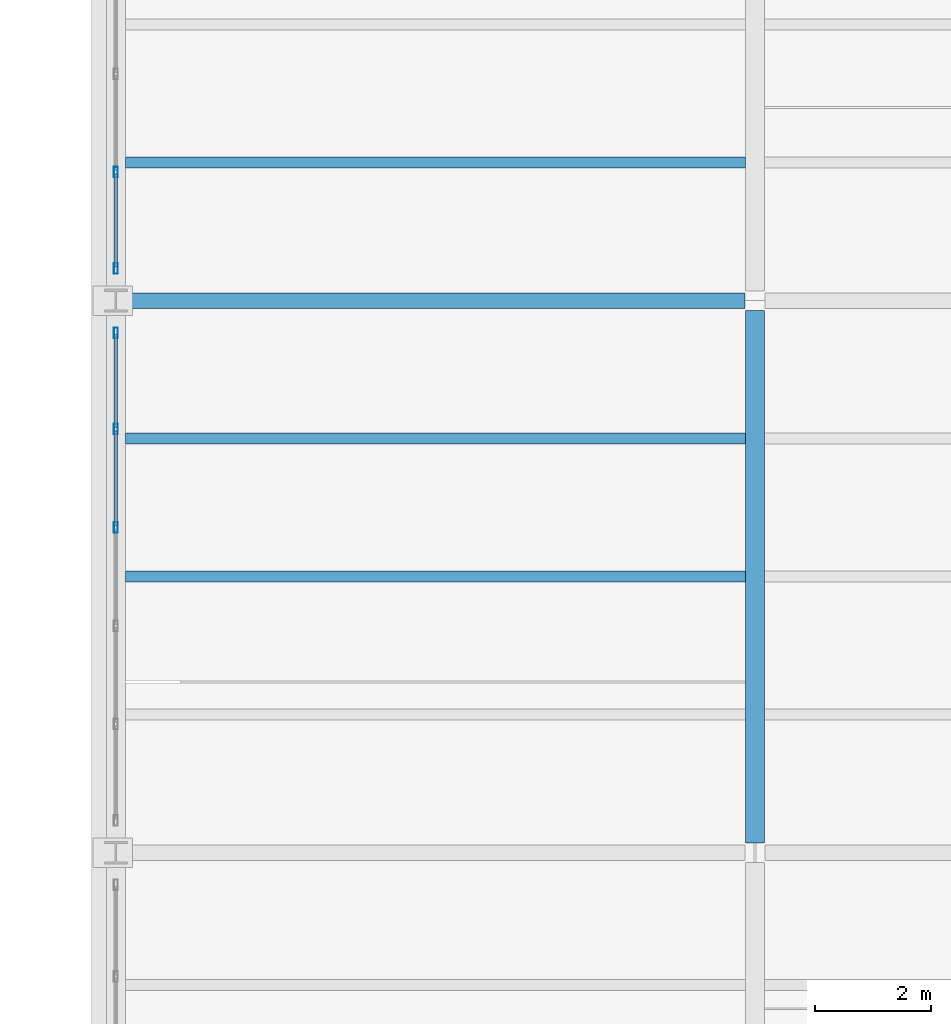
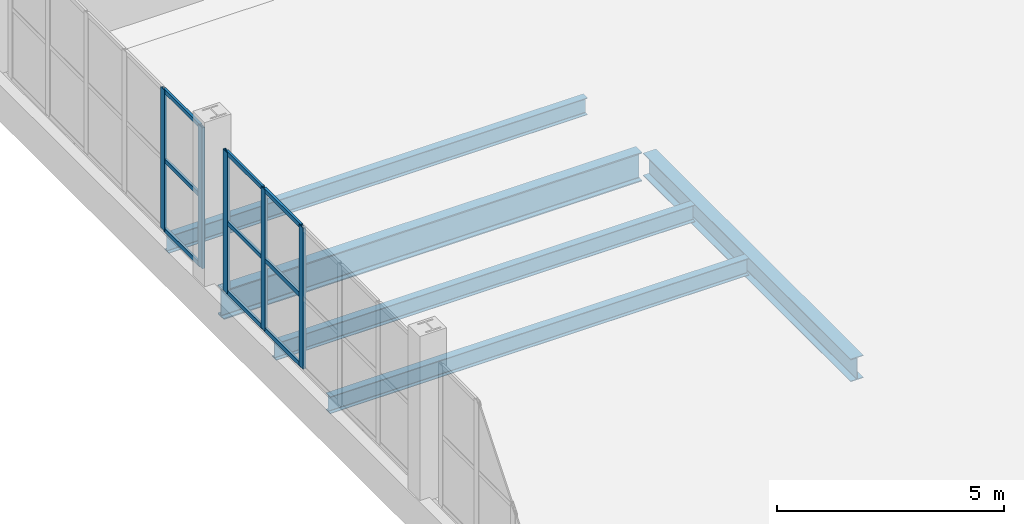
# One storey, part 23 of 156: 14 members, 5 beams, 2 elements without a shape of their own.
"""IFC4 building model written with IfcOpenShell, lengths in metres."""

from ifc_helpers import new_model, si_unit, direction, frame, origin, origin_2d, place, context, subcontext, project, spatial, hollow_rectangle, i_section, extrude, material, material_profile, profile_set, type_object, element, aggregate, save


model = new_model("IFC4")

# Units and contexts
model_context = context("Model", 3, precision=1e-05, world=origin(), true_north=direction((0.0, 1.0)))
body_context = subcontext(model_context, "Body", "Model", "MODEL_VIEW")
ifc_project = project(units=[si_unit("LENGTHUNIT", "METRE"), si_unit("AREAUNIT", "SQUARE_METRE"), si_unit("VOLUMEUNIT", "CUBIC_METRE"), si_unit("PLANEANGLEUNIT", "RADIAN"), si_unit("MASSUNIT", "GRAM", prefix="KILO")], contexts=[model_context])

# Site, building, storey
site_placement = place(None, origin())
site = spatial("IfcSite", under=ifc_project, at=site_placement, CompositionType="ELEMENT")
building_placement = place(site_placement, origin())
building = spatial("IfcBuilding", under=site, at=building_placement, Name="Caurita Quay Ferry Terminal", CompositionType="ELEMENT")
storey_placement = place(building_placement, frame((0.0, 0.0, 5.39990234375)))
storey = spatial("IfcBuildingStorey", under=building, at=storey_placement, Name="L01", CompositionType="ELEMENT", Elevation=5.39990234375)

# Beams
ifc_material_1 = material(Name="Structural steel ASTM A992 Gr. 50", Category="steel")
ifc_material_profile_1 = material_profile(ifc_material_1, i_section(OverallWidth=0.3251953125, OverallDepth=0.612060546875, WebThickness=0.0126953125, FlangeThickness=0.01904296875, FilletRadius=0.01513671875, at=origin_2d()), Name="W24X104")
ifc_profile_set_1 = profile_set([ifc_material_profile_1], Name="Structural steel ASTM A992 Gr. 50")
beam_type_1 = type_object("IfcBeamType", Name="BM-GR-W24A", PredefinedType="BEAM", material=ifc_profile_set_1)
beam_1_placement = place(storey_placement, frame((11.0, 43.86962890625, -0.60595703125), z_axis=(0.0, 1.0, 0.0), x_axis=(-1.0, 0.0, 0.0)))
element("IfcBeam", 1, at=beam_1_placement, inside=storey, type_object=beam_type_1, Name="L01 Beam BM-V1-L01-Y-110-439", PredefinedType="BEAM", context=body_context, shape_type="SweptSolid", body=[
    extrude(i_section(OverallWidth=0.3251953125, OverallDepth=0.612060546875, WebThickness=0.0126953125, FlangeThickness=0.01904296875, FilletRadius=0.01513671875, at=origin_2d()), origin(), (0.0, 0.0, 1.0), 9.160888671875),
])
ifc_material_profile_2 = material_profile(ifc_material_1, i_section(OverallWidth=0.2666015625, OverallDepth=0.77978515625, WebThickness=0.0166015625, FlangeThickness=0.030029296875, FilletRadius=0.01904296875, at=origin_2d()), Name="W30X148")
ifc_profile_set_2 = profile_set([ifc_material_profile_2], Name="Structural steel ASTM A992 Gr. 50")
beam_type_2 = type_object("IfcBeamType", Name="BM-GR-W30A", PredefinedType="BEAM", material=ifc_profile_set_2)
beam_2_placement = place(storey_placement, frame((0.172607421875, 53.199951171875, -0.689697265625), z_axis=(1.0, 0.0, 0.0), x_axis=(0.0, 1.0, 0.0)))
element("IfcBeam", 2, at=beam_2_placement, inside=storey, type_object=beam_type_2, Name="L01 Beam BM-V1-L01-X-2-532", PredefinedType="BEAM", context=body_context, shape_type="SweptSolid", body=[
    extrude(i_section(OverallWidth=0.2666015625, OverallDepth=0.77978515625, WebThickness=0.0166015625, FlangeThickness=0.030029296875, FilletRadius=0.01904296875, at=origin_2d()), origin(), (0.0, 0.0, 1.0), 10.656982421875),
])
ifc_material_profile_3 = material_profile(ifc_material_1, i_section(OverallWidth=0.1904296875, OverallDepth=0.457275390625, WebThickness=0.009033203125, FlangeThickness=0.014404296875, FilletRadius=0.0126953125, at=origin_2d()), Name="W18X50")
ifc_profile_set_3 = profile_set([ifc_material_profile_3], Name="Structural steel ASTM A992 Gr. 50")
beam_type_3 = type_object("IfcBeamType", Name="BM-JS-W18B", PredefinedType="JOIST", material=ifc_profile_set_3)
for number, where, z_axis, x_axis, name in (
    (3, (0.16259765625, 48.449951171875, -0.528564453125), (1.0, 0.0, 0.0), (0.0, 1.0, 0.0), "L01 Beam JS-V1-L01-005"),
    (4, (0.16259765625, 50.824951171875, -0.528564453125), (1.0, 0.0, 0.0), (0.0, 1.0, 0.0), "L01 Beam JS-V1-L01-006"),
    (5, (0.16259765625, 55.574951171875, -0.528564453125), (1.0, 0.0, 0.0), (0.0, 1.0, 0.0), "L01 Beam JS-V1-L01-007"),
):
    element("IfcBeam", number, at=place(storey_placement, frame(where, z_axis=z_axis, x_axis=x_axis)), inside=storey, type_object=beam_type_3, Name=name, PredefinedType="JOIST", context=body_context, shape_type="SweptSolid", body=[
        extrude(i_section(OverallWidth=0.1904296875, OverallDepth=0.457275390625, WebThickness=0.009033203125, FlangeThickness=0.014404296875, FilletRadius=0.0126953125, at=origin_2d()), origin(), (0.0, 0.0, 1.0), 10.6748046875),
    ])

# Curtain wall, members
ifc_material_2 = material(Name="Laminated solar-control insulated glass", Category="glass")
curtain_wall_type = type_object("IfcCurtainWallType", Name="CW-SYS-12", PredefinedType="NOTDEFINED", material=ifc_material_2)
curtain_wall_1_placement = place(storey_placement, origin())
curtain_wall_1 = element("IfcCurtainWall", 6, at=curtain_wall_1_placement, inside=storey, type_object=curtain_wall_type, Name="Concourse Gable Curtain Wall 078", PredefinedType="NOTDEFINED")
ifc_material_3 = material(Name="Anodized aluminium 6063-T6", Category="aluminium")
ifc_material_profile_4 = material_profile(ifc_material_3, hollow_rectangle(XDim=0.06494140625, YDim=0.179931640625, WallThickness=0.00390625, at=origin_2d()), Name="ALU-MUL-65X180")
ifc_profile_set_4 = profile_set([ifc_material_profile_4], Name="Anodized aluminium 6063-T6")
member_type_1 = type_object("IfcMemberType", Name="CW-MUL-180", PredefinedType="MULLION", material=ifc_profile_set_4)
member_1_placement = place(storey_placement, frame((0.0, 49.2958984375, 0.0), z_axis=(0.0, 0.0, 1.0), x_axis=(-1.0, 0.0, 0.0)))
member_1 = element("IfcMember", 7, at=member_1_placement, type_object=member_type_1, Name="CW-GBL-078 Mullion 4", PredefinedType="MULLION", context=body_context, shape_type="SweptSolid", body=[
    extrude(hollow_rectangle(XDim=0.06494140625, YDim=0.179931640625, WallThickness=0.00390625, at=origin_2d()), origin(), (0.0, 0.0, 1.0), 3.800048828125),
])
member_2_placement = place(storey_placement, frame((0.0, 50.988037109375, 0.0), z_axis=(0.0, 0.0, 1.0), x_axis=(-1.0, 0.0, 0.0)))
member_2 = element("IfcMember", 8, at=member_2_placement, type_object=member_type_1, Name="CW-GBL-078 Mullion 5", PredefinedType="MULLION", context=body_context, shape_type="SweptSolid", body=[
    extrude(hollow_rectangle(XDim=0.06494140625, YDim=0.179931640625, WallThickness=0.00390625, at=origin_2d()), origin(), (0.0, 0.0, 1.0), 3.800048828125),
])
member_3_placement = place(storey_placement, frame((0.0, 52.6474609375, 0.0), z_axis=(0.0, 0.0, 1.0), x_axis=(-1.0, 0.0, 0.0)))
member_3 = element("IfcMember", 9, at=member_3_placement, type_object=member_type_1, Name="CW-GBL-078 Mullion 6", PredefinedType="MULLION", context=body_context, shape_type="SweptSolid", body=[
    extrude(hollow_rectangle(XDim=0.06494140625, YDim=0.179931640625, WallThickness=0.00390625, at=origin_2d()), origin(), (0.0, 0.0, 1.0), 3.800048828125),
])

curtain_wall_2_placement = place(storey_placement, origin())
curtain_wall_2 = element("IfcCurtainWall", 10, at=curtain_wall_2_placement, inside=storey, type_object=curtain_wall_type, Name="Concourse Gable Curtain Wall 079", PredefinedType="NOTDEFINED")
member_4_placement = place(storey_placement, frame((0.0, 53.75244140625, 0.0), z_axis=(0.0, 0.0, 1.0), x_axis=(-1.0, 0.0, 0.0)))
member_4 = element("IfcMember", 11, at=member_4_placement, type_object=member_type_1, Name="CW-GBL-079 Mullion 1", PredefinedType="MULLION", context=body_context, shape_type="SweptSolid", body=[
    extrude(hollow_rectangle(XDim=0.06494140625, YDim=0.179931640625, WallThickness=0.00390625, at=origin_2d()), origin(), (0.0, 0.0, 1.0), 3.800048828125),
])
member_5_placement = place(storey_placement, frame((0.0, 55.412109375, 0.0), z_axis=(0.0, 0.0, 1.0), x_axis=(-1.0, 0.0, 0.0)))
member_5 = element("IfcMember", 12, at=member_5_placement, type_object=member_type_1, Name="CW-GBL-079 Mullion 2", PredefinedType="MULLION", context=body_context, shape_type="SweptSolid", body=[
    extrude(hollow_rectangle(XDim=0.06494140625, YDim=0.179931640625, WallThickness=0.00390625, at=origin_2d()), origin(), (0.0, 0.0, 1.0), 3.800048828125),
])

# Member
ifc_material_profile_5 = material_profile(ifc_material_3, hollow_rectangle(XDim=0.06005859375, YDim=0.114990234375, WallThickness=0.00341796875, at=origin_2d()), Name="ALU-TRN-60X115")
ifc_profile_set_5 = profile_set([ifc_material_profile_5], Name="Anodized aluminium 6063-T6")
member_type_2 = type_object("IfcMemberType", Name="CW-TRN-115", PredefinedType="USERDEFINED", material=ifc_profile_set_5)
member_6_placement = place(storey_placement, frame((0.0, 49.326416015625, 0.030029296875), z_axis=(0.0, 1.0, 0.0), x_axis=(-1.0, 0.0, 0.0)))
member_6 = element("IfcMember", 13, at=member_6_placement, type_object=member_type_2, Name="CW-GBL-078 Transom 10", ObjectType="TRANSOM", PredefinedType="USERDEFINED", context=body_context, shape_type="SweptSolid", body=[
    extrude(hollow_rectangle(XDim=0.06005859375, YDim=0.114990234375, WallThickness=0.00341796875, at=origin_2d()), origin(), (0.0, 0.0, 1.0), 1.631103515625),
])

member_7_placement = place(storey_placement, frame((0.0, 49.326416015625, 1.900146484375), z_axis=(0.0, 1.0, 0.0), x_axis=(-1.0, 0.0, 0.0)))
member_7 = element("IfcMember", 14, at=member_7_placement, type_object=member_type_2, Name="CW-GBL-078 Transom 11", ObjectType="TRANSOM", PredefinedType="USERDEFINED", context=body_context, shape_type="SweptSolid", body=[
    extrude(hollow_rectangle(XDim=0.06005859375, YDim=0.114990234375, WallThickness=0.00341796875, at=origin_2d()), origin(), (0.0, 0.0, 1.0), 1.631103515625),
])

member_8_placement = place(storey_placement, frame((0.0, 49.326416015625, 3.77001953125), z_axis=(0.0, 1.0, 0.0), x_axis=(-1.0, 0.0, 0.0)))
member_8 = element("IfcMember", 15, at=member_8_placement, type_object=member_type_2, Name="CW-GBL-078 Transom 12", ObjectType="TRANSOM", PredefinedType="USERDEFINED", context=body_context, shape_type="SweptSolid", body=[
    extrude(hollow_rectangle(XDim=0.06005859375, YDim=0.114990234375, WallThickness=0.00341796875, at=origin_2d()), origin(), (0.0, 0.0, 1.0), 1.631103515625),
])

member_9_placement = place(storey_placement, frame((0.0, 51.0185546875, 0.030029296875), z_axis=(0.0, 1.0, 0.0), x_axis=(-1.0, 0.0, 0.0)))
member_9 = element("IfcMember", 16, at=member_9_placement, type_object=member_type_2, Name="CW-GBL-078 Transom 13", ObjectType="TRANSOM", PredefinedType="USERDEFINED", context=body_context, shape_type="SweptSolid", body=[
    extrude(hollow_rectangle(XDim=0.06005859375, YDim=0.114990234375, WallThickness=0.00341796875, at=origin_2d()), origin(), (0.0, 0.0, 1.0), 1.598388671875),
])

member_10_placement = place(storey_placement, frame((0.0, 51.0185546875, 1.900146484375), z_axis=(0.0, 1.0, 0.0), x_axis=(-1.0, 0.0, 0.0)))
member_10 = element("IfcMember", 17, at=member_10_placement, type_object=member_type_2, Name="CW-GBL-078 Transom 14", ObjectType="TRANSOM", PredefinedType="USERDEFINED", context=body_context, shape_type="SweptSolid", body=[
    extrude(hollow_rectangle(XDim=0.06005859375, YDim=0.114990234375, WallThickness=0.00341796875, at=origin_2d()), origin(), (0.0, 0.0, 1.0), 1.598388671875),
])

member_11_placement = place(storey_placement, frame((0.0, 51.0185546875, 3.77001953125), z_axis=(0.0, 1.0, 0.0), x_axis=(-1.0, 0.0, 0.0)))
member_11 = element("IfcMember", 18, at=member_11_placement, type_object=member_type_2, Name="CW-GBL-078 Transom 15", ObjectType="TRANSOM", PredefinedType="USERDEFINED", context=body_context, shape_type="SweptSolid", body=[
    extrude(hollow_rectangle(XDim=0.06005859375, YDim=0.114990234375, WallThickness=0.00341796875, at=origin_2d()), origin(), (0.0, 0.0, 1.0), 1.598388671875),
])

aggregate(curtain_wall_1, [member_1, member_2, member_3, member_6, member_7, member_8, member_9, member_10, member_11])

member_12_placement = place(storey_placement, frame((0.0, 53.782958984375, 0.030029296875), z_axis=(0.0, 1.0, 0.0), x_axis=(-1.0, 0.0, 0.0)))
member_12 = element("IfcMember", 19, at=member_12_placement, type_object=member_type_2, Name="CW-GBL-079 Transom 1", ObjectType="TRANSOM", PredefinedType="USERDEFINED", context=body_context, shape_type="SweptSolid", body=[
    extrude(hollow_rectangle(XDim=0.06005859375, YDim=0.114990234375, WallThickness=0.00341796875, at=origin_2d()), origin(), (0.0, 0.0, 1.0), 1.5986328125),
])

member_13_placement = place(storey_placement, frame((0.0, 53.782958984375, 1.900146484375), z_axis=(0.0, 1.0, 0.0), x_axis=(-1.0, 0.0, 0.0)))
member_13 = element("IfcMember", 20, at=member_13_placement, type_object=member_type_2, Name="CW-GBL-079 Transom 2", ObjectType="TRANSOM", PredefinedType="USERDEFINED", context=body_context, shape_type="SweptSolid", body=[
    extrude(hollow_rectangle(XDim=0.06005859375, YDim=0.114990234375, WallThickness=0.00341796875, at=origin_2d()), origin(), (0.0, 0.0, 1.0), 1.5986328125),
])

member_14_placement = place(storey_placement, frame((0.0, 53.782958984375, 3.77001953125), z_axis=(0.0, 1.0, 0.0), x_axis=(-1.0, 0.0, 0.0)))
member_14 = element("IfcMember", 21, at=member_14_placement, type_object=member_type_2, Name="CW-GBL-079 Transom 3", ObjectType="TRANSOM", PredefinedType="USERDEFINED", context=body_context, shape_type="SweptSolid", body=[
    extrude(hollow_rectangle(XDim=0.06005859375, YDim=0.114990234375, WallThickness=0.00341796875, at=origin_2d()), origin(), (0.0, 0.0, 1.0), 1.5986328125),
])

aggregate(curtain_wall_2, [member_4, member_5, member_12, member_13, member_14])

save(model, "model.ifc")
